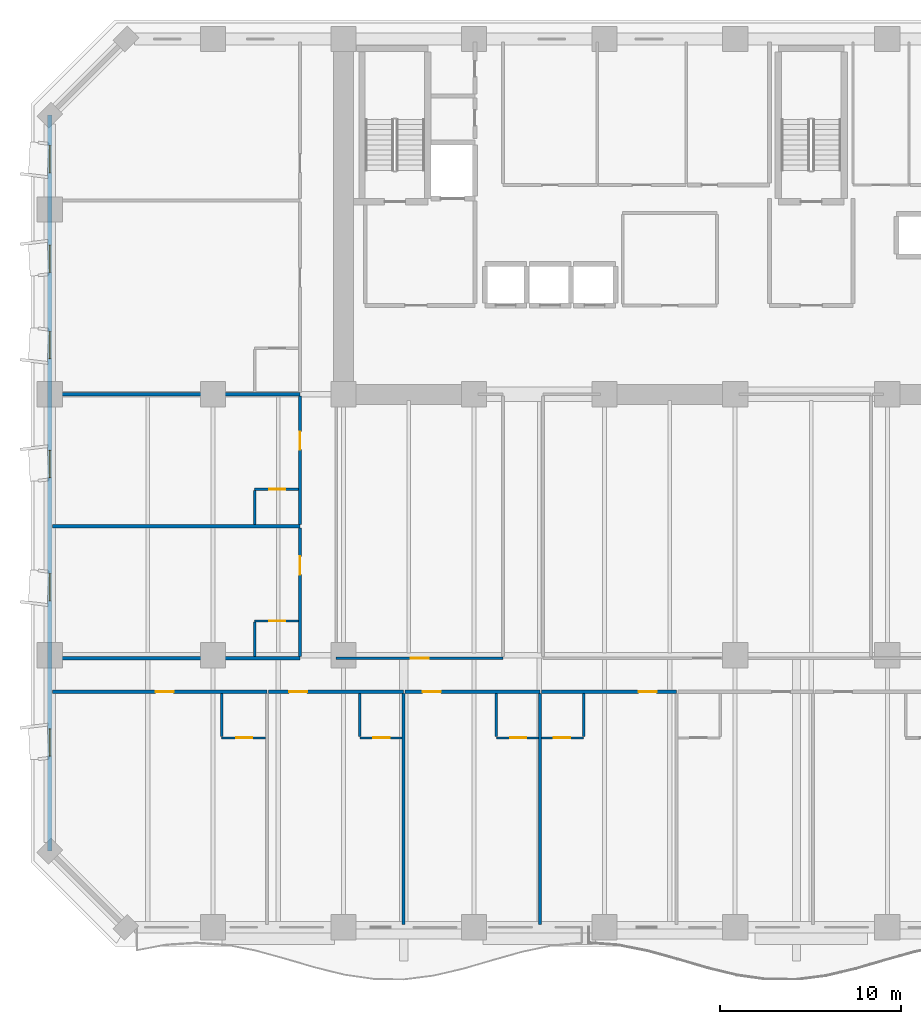
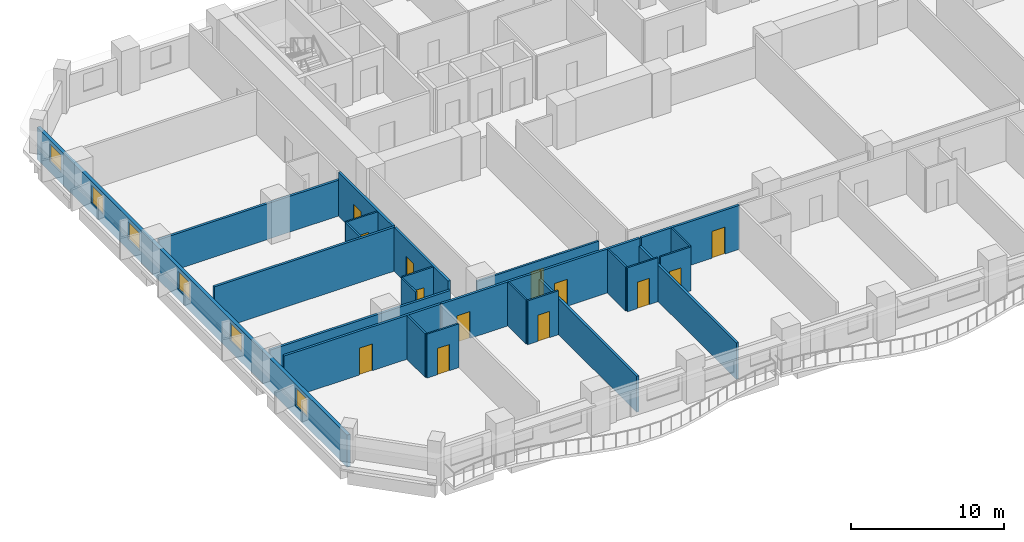
# One storey, part 4 of 15: 25 walls, 13 doors, 6 windows, 19 openings.
"""IFC4 building model written with IfcOpenShell, lengths in metres."""

from ifc_helpers import new_model, si_unit, direction, frame, frame_2d, origin, place, context, subcontext, project, spatial, rectangle, extrude, material, layer, layer_set, type_object, element, fill, save


model = new_model("IFC4")

# Units and contexts
model_context = context("Model", 3, precision=1e-05, world=origin(), true_north=direction((0.0, 1.0)))
body_context = subcontext(model_context, "Body", "Model", "MODEL_VIEW")
ifc_project = project(units=[si_unit("LENGTHUNIT", "METRE"), si_unit("AREAUNIT", "SQUARE_METRE"), si_unit("VOLUMEUNIT", "CUBIC_METRE"), si_unit("PLANEANGLEUNIT", "RADIAN"), si_unit("MASSUNIT", "GRAM", prefix="KILO")], contexts=[model_context])

# Site, building, storey
site_placement = place(None, origin())
site = spatial("IfcSite", under=ifc_project, at=site_placement, CompositionType="ELEMENT")
building_placement = place(site_placement, origin())
building = spatial("IfcBuilding", under=site, at=building_placement, Name="Kaelvorn Grand Hotel", CompositionType="ELEMENT")
storey_placement = place(building_placement, frame((0.0, 0.0, 65.14990234375)))
storey = spatial("IfcBuildingStorey", under=building, at=storey_placement, Name="L14", CompositionType="ELEMENT", Elevation=65.14990234375)

# Wall, openings, windows
ifc_material_1 = material(Name="Concrete C40/50", Category="concrete")
ifc_layer_1 = layer(ifc_material_1, 0.260009765625)
ifc_layer_set_1 = layer_set([ifc_layer_1], Name="Concrete C40/50")
wall_type_1 = type_object("IfcWallType", Name="WL-EXT-260-C40", PredefinedType="SOLIDWALL", material=ifc_layer_set_1)
wall_1_placement = place(storey_placement, frame((0.0, 44.800048828125, 0.0), z_axis=(0.0, 0.0, 1.0), x_axis=(0.0, -1.0, 0.0)))
wall_1 = element("IfcWall", 1, at=wall_1_placement, inside=storey, type_object=wall_type_1, Name="L14 Exterior Architectural Concrete Wall 07", PredefinedType="SOLIDWALL", context=body_context, shape_type="SweptSolid", body=[
    extrude(rectangle(XDim=40.60009765625, YDim=0.260009765625, at=frame_2d((20.300048828125, 0.0))), origin(), (0.0, 0.0, 1.0), 2.56005859375),
])
opening_1_placement = place(wall_1_placement, frame((33.85009765625, 0.0, 0.85009765625)))
opening_1 = element("IfcOpeningElement", 2, at=opening_1_placement, cuts=wall_1, Name="Opening W10", PredefinedType="OPENING", context=body_context, shape_type="SweptSolid", body=[
    extrude(rectangle(XDim=1.5, YDim=1.39990234375, at=frame_2d((0.75, 0.699951171875))), frame((0.0, 0.14013671875, 0.0), z_axis=(0.0, -1.0, 0.0), x_axis=(1.0, 0.0, 0.0)), (0.0, 0.0, 1.0), 0.280029296875),
])
opening_2_placement = place(wall_1_placement, frame((25.2900390625, 0.0, 0.85009765625)))
opening_2 = element("IfcOpeningElement", 3, at=opening_2_placement, cuts=wall_1, Name="Opening W10", PredefinedType="OPENING", context=body_context, shape_type="SweptSolid", body=[
    extrude(rectangle(XDim=1.5, YDim=1.39990234375, at=frame_2d((0.75, 0.699951171875))), frame((0.0, 0.14013671875, 0.0), z_axis=(0.0, -1.0, 0.0), x_axis=(1.0, 0.0, 0.0)), (0.0, 0.0, 1.0), 0.280029296875),
])
opening_3_placement = place(wall_1_placement, frame((18.489990234375, 0.0, 0.85009765625)))
opening_3 = element("IfcOpeningElement", 4, at=opening_3_placement, cuts=wall_1, Name="Opening W10", PredefinedType="OPENING", context=body_context, shape_type="SweptSolid", body=[
    extrude(rectangle(XDim=1.5, YDim=1.39990234375, at=frame_2d((0.75, 0.699951171875))), frame((0.0, 0.14013671875, 0.0), z_axis=(0.0, -1.0, 0.0), x_axis=(1.0, 0.0, 0.0)), (0.0, 0.0, 1.0), 0.280029296875),
])
opening_4_placement = place(wall_1_placement, frame((11.93505859375, 0.0, 0.85009765625)))
opening_4 = element("IfcOpeningElement", 5, at=opening_4_placement, cuts=wall_1, Name="Opening W10", PredefinedType="OPENING", context=body_context, shape_type="SweptSolid", body=[
    extrude(rectangle(XDim=1.5, YDim=1.39990234375, at=frame_2d((0.75, 0.699951171875))), frame((0.0, 0.14013671875, 0.0), z_axis=(0.0, -1.0, 0.0), x_axis=(1.0, 0.0, 0.0)), (0.0, 0.0, 1.0), 0.280029296875),
])
opening_5_placement = place(wall_1_placement, frame((7.1650390625, 0.0, 0.85009765625)))
opening_5 = element("IfcOpeningElement", 6, at=opening_5_placement, cuts=wall_1, Name="Opening W10", PredefinedType="OPENING", context=body_context, shape_type="SweptSolid", body=[
    extrude(rectangle(XDim=1.5, YDim=1.39990234375, at=frame_2d((0.75, 0.699951171875))), frame((0.0, 0.14013671875, 0.0), z_axis=(0.0, -1.0, 0.0), x_axis=(1.0, 0.0, 0.0)), (0.0, 0.0, 1.0), 0.280029296875),
])
opening_6_placement = place(wall_1_placement, frame((1.68505859375, 0.0, 0.85009765625)))
opening_6 = element("IfcOpeningElement", 7, at=opening_6_placement, cuts=wall_1, Name="Opening W10", PredefinedType="OPENING", context=body_context, shape_type="SweptSolid", body=[
    extrude(rectangle(XDim=1.5, YDim=1.39990234375, at=frame_2d((0.75, 0.699951171875))), frame((0.0, 0.14013671875, 0.0), z_axis=(0.0, -1.0, 0.0), x_axis=(1.0, 0.0, 0.0)), (0.0, 0.0, 1.0), 0.280029296875),
])
ifc_material_2 = material(Name="Laminated Low-E Glass", Category="glass")
window_type = type_object("IfcWindowType", Name="WIN-COR-1500x1400", PartitioningType="SINGLE_PANEL", PredefinedType="WINDOW", material=ifc_material_2)
window_1_placement = place(opening_1_placement, origin())
window_1 = element("IfcWindow", 8, at=window_1_placement, inside=storey, type_object=window_type, Name="L14 W Wing Tilted-Frame Ribbon Window W01", OverallHeight=1.39990234375, OverallWidth=1.5, PartitioningType="SINGLE_PANEL", PredefinedType="WINDOW", context=body_context, shape_type="SweptSolid", body=[
    extrude(rectangle(XDim=1.5, YDim=1.39990234375, at=frame_2d((0.75, 0.699951171875))), frame((0.0, 0.030029296875, 0.0), z_axis=(0.0, -1.0, 0.0), x_axis=(1.0, 0.0, 0.0)), (0.0, 0.0, 1.0), 0.06005859375),
])
fill(opening_1, window_1)
window_2_placement = place(opening_2_placement, origin())
window_2 = element("IfcWindow", 9, at=window_2_placement, inside=storey, type_object=window_type, Name="L14 W Wing Tilted-Frame Ribbon Window W02", OverallHeight=1.39990234375, OverallWidth=1.5, PartitioningType="SINGLE_PANEL", PredefinedType="WINDOW", context=body_context, shape_type="SweptSolid", body=[
    extrude(rectangle(XDim=1.5, YDim=1.39990234375, at=frame_2d((0.75, 0.699951171875))), frame((0.0, 0.030029296875, 0.0), z_axis=(0.0, -1.0, 0.0), x_axis=(1.0, 0.0, 0.0)), (0.0, 0.0, 1.0), 0.06005859375),
])
fill(opening_2, window_2)
window_3_placement = place(opening_3_placement, origin())
window_3 = element("IfcWindow", 10, at=window_3_placement, inside=storey, type_object=window_type, Name="L14 W Wing Tilted-Frame Ribbon Window W03", OverallHeight=1.39990234375, OverallWidth=1.5, PartitioningType="SINGLE_PANEL", PredefinedType="WINDOW", context=body_context, shape_type="SweptSolid", body=[
    extrude(rectangle(XDim=1.5, YDim=1.39990234375, at=frame_2d((0.75, 0.699951171875))), frame((0.0, 0.030029296875, 0.0), z_axis=(0.0, -1.0, 0.0), x_axis=(1.0, 0.0, 0.0)), (0.0, 0.0, 1.0), 0.06005859375),
])
fill(opening_3, window_3)
window_4_placement = place(opening_4_placement, origin())
window_4 = element("IfcWindow", 11, at=window_4_placement, inside=storey, type_object=window_type, Name="L14 W Wing Tilted-Frame Ribbon Window W04", OverallHeight=1.39990234375, OverallWidth=1.5, PartitioningType="SINGLE_PANEL", PredefinedType="WINDOW", context=body_context, shape_type="SweptSolid", body=[
    extrude(rectangle(XDim=1.5, YDim=1.39990234375, at=frame_2d((0.75, 0.699951171875))), frame((0.0, 0.030029296875, 0.0), z_axis=(0.0, -1.0, 0.0), x_axis=(1.0, 0.0, 0.0)), (0.0, 0.0, 1.0), 0.06005859375),
])
fill(opening_4, window_4)
window_5_placement = place(opening_5_placement, origin())
window_5 = element("IfcWindow", 12, at=window_5_placement, inside=storey, type_object=window_type, Name="L14 W Wing Tilted-Frame Ribbon Window W05", OverallHeight=1.39990234375, OverallWidth=1.5, PartitioningType="SINGLE_PANEL", PredefinedType="WINDOW", context=body_context, shape_type="SweptSolid", body=[
    extrude(rectangle(XDim=1.5, YDim=1.39990234375, at=frame_2d((0.75, 0.699951171875))), frame((0.0, 0.030029296875, 0.0), z_axis=(0.0, -1.0, 0.0), x_axis=(1.0, 0.0, 0.0)), (0.0, 0.0, 1.0), 0.06005859375),
])
fill(opening_5, window_5)
window_6_placement = place(opening_6_placement, origin())
window_6 = element("IfcWindow", 13, at=window_6_placement, inside=storey, type_object=window_type, Name="L14 W Wing Tilted-Frame Ribbon Window W06", OverallHeight=1.39990234375, OverallWidth=1.5, PartitioningType="SINGLE_PANEL", PredefinedType="WINDOW", context=body_context, shape_type="SweptSolid", body=[
    extrude(rectangle(XDim=1.5, YDim=1.39990234375, at=frame_2d((0.75, 0.699951171875))), frame((0.0, 0.030029296875, 0.0), z_axis=(0.0, -1.0, 0.0), x_axis=(1.0, 0.0, 0.0)), (0.0, 0.0, 1.0), 0.06005859375),
])
fill(opening_6, window_6)

# Wall, opening, door
ifc_material_3 = material(Name="Moisture-Resistant Tile & Stud Board")
ifc_layer_2 = layer(ifc_material_3, 0.125)
ifc_layer_set_2 = layer_set([ifc_layer_2], Name="Moisture-Resistant Tile & Stud Board")
wall_type_2 = type_object("IfcWallType", Name="WL-PART-125-WET", PredefinedType="PARTITIONING", material=ifc_layer_set_2)
wall_2_placement = place(storey_placement, frame((9.47998046875, 10.449951171875, 0.0), z_axis=(0.0, 0.0, 1.0), x_axis=(1.0, 0.0, 0.0)))
wall_2 = element("IfcWall", 14, at=wall_2_placement, inside=storey, type_object=wall_type_2, Name="L14 En-suite Bathroom L14-01 S Partition", PredefinedType="PARTITIONING", context=body_context, shape_type="SweptSolid", body=[
    extrude(rectangle(XDim=2.405029296875, YDim=0.125, at=frame_2d((1.20263671875, 0.0))), origin(), (0.0, 0.0, 1.0), 3.510009765625),
])
opening_7_placement = place(wall_2_placement, frame((0.800048828125, 0.0, 0.0)))
opening_7 = element("IfcOpeningElement", 15, at=opening_7_placement, cuts=wall_2, Name="Opening DI4", PredefinedType="OPENING", context=body_context, shape_type="SweptSolid", body=[
    extrude(rectangle(XDim=0.89990234375, YDim=2.10009765625, at=frame_2d((0.449951171875, 1.050048828125))), frame((0.0, 0.072509765625, 0.0), z_axis=(0.0, -1.0, 0.0), x_axis=(1.0, 0.0, 0.0)), (0.0, 0.0, 1.0), 0.14501953125),
])
ifc_material_4 = material(Name="Timber Veneer Leaf", Category="wood")
door_type_1 = type_object("IfcDoorType", Name="DR-INT-BATH-900x2100", OperationType="NOTDEFINED", PredefinedType="DOOR", material=ifc_material_4)
door_1_placement = place(opening_7_placement, origin())
door_1 = element("IfcDoor", 16, at=door_1_placement, inside=storey, type_object=door_type_1, Name="L14 En-suite Bathroom L14-01 Door", OperationType="SINGLE_SWING_RIGHT", OverallHeight=2.10009765625, OverallWidth=0.89990234375, PredefinedType="DOOR", context=body_context, shape_type="SweptSolid", body=[
    extrude(rectangle(XDim=0.89990234375, YDim=2.10009765625, at=frame_2d((0.449951171875, 1.050048828125))), frame((0.0, 0.02490234375, 0.0), z_axis=(0.0, -1.0, 0.0), x_axis=(1.0, 0.0, 0.0)), (0.0, 0.0, 1.0), 0.050048828125),
])
fill(opening_7, door_1)

# Wall
wall_3_placement = place(storey_placement, frame((9.47998046875, 10.517578125, 0.0), z_axis=(0.0, 0.0, 1.0), x_axis=(0.0, 1.0, 0.0)))
element("IfcWall", 17, at=wall_3_placement, inside=storey, type_object=wall_type_2, Name="L14 En-suite Bathroom L14-01 W Partition", PredefinedType="PARTITIONING", context=body_context, shape_type="SweptSolid", body=[
    extrude(rectangle(XDim=2.387451171875, YDim=0.125, at=frame_2d((1.19384765625, 0.0))), origin(), (0.0, 0.0, 1.0), 3.510009765625),
])

# Wall, opening, door
wall_4_placement = place(storey_placement, frame((17.10009765625, 10.449951171875, 0.0), z_axis=(0.0, 0.0, 1.0), x_axis=(1.0, 0.0, 0.0)))
wall_4 = element("IfcWall", 18, at=wall_4_placement, inside=storey, type_object=wall_type_2, Name="L14 En-suite Bathroom L14-02 S Partition", PredefinedType="PARTITIONING", context=body_context, shape_type="SweptSolid", body=[
    extrude(rectangle(XDim=2.315185546875, YDim=0.125, at=frame_2d((1.15771484375, 0.0))), origin(), (0.0, 0.0, 1.0), 3.510009765625),
])
opening_8_placement = place(wall_4_placement, frame((0.7548828125, 0.0, 0.0)))
opening_8 = element("IfcOpeningElement", 19, at=opening_8_placement, cuts=wall_4, Name="Opening DI4", PredefinedType="OPENING", context=body_context, shape_type="SweptSolid", body=[
    extrude(rectangle(XDim=0.89990234375, YDim=2.10009765625, at=frame_2d((0.449951171875, 1.050048828125))), frame((0.0, 0.072509765625, 0.0), z_axis=(0.0, -1.0, 0.0), x_axis=(1.0, 0.0, 0.0)), (0.0, 0.0, 1.0), 0.14501953125),
])
door_2_placement = place(opening_8_placement, origin())
door_2 = element("IfcDoor", 20, at=door_2_placement, inside=storey, type_object=door_type_1, Name="L14 En-suite Bathroom L14-02 Door", OperationType="SINGLE_SWING_RIGHT", OverallHeight=2.10009765625, OverallWidth=0.89990234375, PredefinedType="DOOR", context=body_context, shape_type="SweptSolid", body=[
    extrude(rectangle(XDim=0.89990234375, YDim=2.10009765625, at=frame_2d((0.449951171875, 1.050048828125))), frame((0.0, 0.02490234375, 0.0), z_axis=(0.0, -1.0, 0.0), x_axis=(1.0, 0.0, 0.0)), (0.0, 0.0, 1.0), 0.050048828125),
])
fill(opening_8, door_2)

# Wall
wall_5_placement = place(storey_placement, frame((17.10009765625, 10.517578125, 0.0), z_axis=(0.0, 0.0, 1.0), x_axis=(0.0, 1.0, 0.0)))
element("IfcWall", 21, at=wall_5_placement, inside=storey, type_object=wall_type_2, Name="L14 En-suite Bathroom L14-02 W Partition", PredefinedType="PARTITIONING", context=body_context, shape_type="SweptSolid", body=[
    extrude(rectangle(XDim=2.387451171875, YDim=0.125, at=frame_2d((1.19384765625, 0.0))), origin(), (0.0, 0.0, 1.0), 3.510009765625),
])

# Wall, opening, door
wall_6_placement = place(storey_placement, frame((24.630126953125, 10.449951171875, 0.0), z_axis=(0.0, 0.0, 1.0), x_axis=(1.0, 0.0, 0.0)))
wall_6 = element("IfcWall", 22, at=wall_6_placement, inside=storey, type_object=wall_type_2, Name="L14 En-suite Bathroom L14-03 S Partition", PredefinedType="PARTITIONING", context=body_context, shape_type="SweptSolid", body=[
    extrude(rectangle(XDim=2.315185546875, YDim=0.125, at=frame_2d((1.15771484375, 0.0))), origin(), (0.0, 0.0, 1.0), 3.510009765625),
])
opening_9_placement = place(wall_6_placement, frame((0.7548828125, 0.0, 0.0)))
opening_9 = element("IfcOpeningElement", 23, at=opening_9_placement, cuts=wall_6, Name="Opening DI4", PredefinedType="OPENING", context=body_context, shape_type="SweptSolid", body=[
    extrude(rectangle(XDim=0.89990234375, YDim=2.10009765625, at=frame_2d((0.449951171875, 1.050048828125))), frame((0.0, 0.072509765625, 0.0), z_axis=(0.0, -1.0, 0.0), x_axis=(1.0, 0.0, 0.0)), (0.0, 0.0, 1.0), 0.14501953125),
])
door_3_placement = place(opening_9_placement, origin())
door_3 = element("IfcDoor", 24, at=door_3_placement, inside=storey, type_object=door_type_1, Name="L14 En-suite Bathroom L14-03 Door", OperationType="SINGLE_SWING_RIGHT", OverallHeight=2.10009765625, OverallWidth=0.89990234375, PredefinedType="DOOR", context=body_context, shape_type="SweptSolid", body=[
    extrude(rectangle(XDim=0.89990234375, YDim=2.10009765625, at=frame_2d((0.449951171875, 1.050048828125))), frame((0.0, 0.02490234375, 0.0), z_axis=(0.0, -1.0, 0.0), x_axis=(1.0, 0.0, 0.0)), (0.0, 0.0, 1.0), 0.050048828125),
])
fill(opening_9, door_3)

# Wall
wall_7_placement = place(storey_placement, frame((24.630126953125, 10.517578125, 0.0), z_axis=(0.0, 0.0, 1.0), x_axis=(0.0, 1.0, 0.0)))
element("IfcWall", 25, at=wall_7_placement, inside=storey, type_object=wall_type_2, Name="L14 En-suite Bathroom L14-03 W Partition", PredefinedType="PARTITIONING", context=body_context, shape_type="SweptSolid", body=[
    extrude(rectangle(XDim=2.387451171875, YDim=0.125, at=frame_2d((1.19384765625, 0.0))), origin(), (0.0, 0.0, 1.0), 3.510009765625),
])

# Wall, opening, door
wall_8_placement = place(storey_placement, frame((27.13525390625, 10.449951171875, 0.0), z_axis=(0.0, 0.0, 1.0), x_axis=(1.0, 0.0, 0.0)))
wall_8 = element("IfcWall", 26, at=wall_8_placement, inside=storey, type_object=wall_type_2, Name="L14 En-suite Bathroom L14-04 S Partition", PredefinedType="PARTITIONING", context=body_context, shape_type="SweptSolid", body=[
    extrude(rectangle(XDim=2.31494140625, YDim=0.125, at=frame_2d((1.157470703125, 0.0))), origin(), (0.0, 0.0, 1.0), 3.510009765625),
])
opening_10_placement = place(wall_8_placement, frame((0.659912109375, 0.0, 0.0)))
opening_10 = element("IfcOpeningElement", 27, at=opening_10_placement, cuts=wall_8, Name="Opening DI4", PredefinedType="OPENING", context=body_context, shape_type="SweptSolid", body=[
    extrude(rectangle(XDim=0.89990234375, YDim=2.10009765625, at=frame_2d((0.449951171875, 1.050048828125))), frame((0.0, 0.072509765625, 0.0), z_axis=(0.0, -1.0, 0.0), x_axis=(1.0, 0.0, 0.0)), (0.0, 0.0, 1.0), 0.14501953125),
])
door_4_placement = place(opening_10_placement, origin())
door_4 = element("IfcDoor", 28, at=door_4_placement, inside=storey, type_object=door_type_1, Name="L14 En-suite Bathroom L14-04 Door", OperationType="SINGLE_SWING_RIGHT", OverallHeight=2.10009765625, OverallWidth=0.89990234375, PredefinedType="DOOR", context=body_context, shape_type="SweptSolid", body=[
    extrude(rectangle(XDim=0.89990234375, YDim=2.10009765625, at=frame_2d((0.449951171875, 1.050048828125))), frame((0.0, 0.02490234375, 0.0), z_axis=(0.0, -1.0, 0.0), x_axis=(1.0, 0.0, 0.0)), (0.0, 0.0, 1.0), 0.050048828125),
])
fill(opening_10, door_4)

# Wall
wall_9_placement = place(storey_placement, frame((29.4501953125, 10.517578125, 0.0), z_axis=(0.0, 0.0, 1.0), x_axis=(0.0, 1.0, 0.0)))
element("IfcWall", 29, at=wall_9_placement, inside=storey, type_object=wall_type_2, Name="L14 En-suite Bathroom L14-04 E Partition", PredefinedType="PARTITIONING", context=body_context, shape_type="SweptSolid", body=[
    extrude(rectangle(XDim=2.387451171875, YDim=0.125, at=frame_2d((1.19384765625, 0.0))), origin(), (0.0, 0.0, 1.0), 3.510009765625),
])

# Wall, opening, door
wall_10_placement = place(storey_placement, frame((11.300048828125, 16.89990234375, 0.0), z_axis=(0.0, 0.0, 1.0), x_axis=(1.0, 0.0, 0.0)))
wall_10 = element("IfcWall", 30, at=wall_10_placement, inside=storey, type_object=wall_type_2, Name="L14 En-suite Bathroom L14-11 N Partition", PredefinedType="PARTITIONING", context=body_context, shape_type="SweptSolid", body=[
    extrude(rectangle(XDim=2.405029296875, YDim=0.125, at=frame_2d((1.20263671875, 0.0))), origin(), (0.0, 0.0, 1.0), 3.510009765625),
])
opening_11_placement = place(wall_10_placement, frame((0.800048828125, 0.0, 0.0)))
opening_11 = element("IfcOpeningElement", 31, at=opening_11_placement, cuts=wall_10, Name="Opening DI4", PredefinedType="OPENING", context=body_context, shape_type="SweptSolid", body=[
    extrude(rectangle(XDim=0.89990234375, YDim=2.10009765625, at=frame_2d((0.449951171875, 1.050048828125))), frame((0.0, 0.072509765625, 0.0), z_axis=(0.0, -1.0, 0.0), x_axis=(1.0, 0.0, 0.0)), (0.0, 0.0, 1.0), 0.14501953125),
])
door_5_placement = place(opening_11_placement, origin())
door_5 = element("IfcDoor", 32, at=door_5_placement, inside=storey, type_object=door_type_1, Name="L14 En-suite Bathroom L14-11 Door", OperationType="SINGLE_SWING_LEFT", OverallHeight=2.10009765625, OverallWidth=0.89990234375, PredefinedType="DOOR", context=body_context, shape_type="SweptSolid", body=[
    extrude(rectangle(XDim=0.89990234375, YDim=2.10009765625, at=frame_2d((0.449951171875, 1.050048828125))), frame((0.0, 0.02490234375, 0.0), z_axis=(0.0, -1.0, 0.0), x_axis=(1.0, 0.0, 0.0)), (0.0, 0.0, 1.0), 0.050048828125),
])
fill(opening_11, door_5)

# Wall
wall_11_placement = place(storey_placement, frame((11.300048828125, 14.945068359375, 0.0), z_axis=(0.0, 0.0, 1.0), x_axis=(0.0, 1.0, 0.0)))
element("IfcWall", 33, at=wall_11_placement, inside=storey, type_object=wall_type_2, Name="L14 En-suite Bathroom L14-11 W Partition", PredefinedType="PARTITIONING", context=body_context, shape_type="SweptSolid", body=[
    extrude(rectangle(XDim=1.887451171875, YDim=0.125, at=frame_2d((0.94384765625, 0.0))), origin(), (0.0, 0.0, 1.0), 3.510009765625),
])

# Wall, opening, door
wall_12_placement = place(storey_placement, frame((11.300048828125, 24.169921875, 0.0), z_axis=(0.0, 0.0, 1.0), x_axis=(1.0, 0.0, 0.0)))
wall_12 = element("IfcWall", 34, at=wall_12_placement, inside=storey, type_object=wall_type_2, Name="L14 En-suite Bathroom L14-12 N Partition", PredefinedType="PARTITIONING", context=body_context, shape_type="SweptSolid", body=[
    extrude(rectangle(XDim=2.405029296875, YDim=0.125, at=frame_2d((1.20263671875, 0.0))), origin(), (0.0, 0.0, 1.0), 3.510009765625),
])
opening_12_placement = place(wall_12_placement, frame((0.800048828125, 0.0, 0.0)))
opening_12 = element("IfcOpeningElement", 35, at=opening_12_placement, cuts=wall_12, Name="Opening DI4", PredefinedType="OPENING", context=body_context, shape_type="SweptSolid", body=[
    extrude(rectangle(XDim=0.89990234375, YDim=2.10009765625, at=frame_2d((0.449951171875, 1.050048828125))), frame((0.0, 0.072509765625, 0.0), z_axis=(0.0, -1.0, 0.0), x_axis=(1.0, 0.0, 0.0)), (0.0, 0.0, 1.0), 0.14501953125),
])
door_6_placement = place(opening_12_placement, origin())
door_6 = element("IfcDoor", 36, at=door_6_placement, inside=storey, type_object=door_type_1, Name="L14 En-suite Bathroom L14-12 Door", OperationType="SINGLE_SWING_LEFT", OverallHeight=2.10009765625, OverallWidth=0.89990234375, PredefinedType="DOOR", context=body_context, shape_type="SweptSolid", body=[
    extrude(rectangle(XDim=0.89990234375, YDim=2.10009765625, at=frame_2d((0.449951171875, 1.050048828125))), frame((0.0, 0.02490234375, 0.0), z_axis=(0.0, -1.0, 0.0), x_axis=(1.0, 0.0, 0.0)), (0.0, 0.0, 1.0), 0.050048828125),
])
fill(opening_12, door_6)

# Wall
wall_13_placement = place(storey_placement, frame((11.300048828125, 22.215087890625, 0.0), z_axis=(0.0, 0.0, 1.0), x_axis=(0.0, 1.0, 0.0)))
element("IfcWall", 37, at=wall_13_placement, inside=storey, type_object=wall_type_2, Name="L14 En-suite Bathroom L14-12 W Partition", PredefinedType="PARTITIONING", context=body_context, shape_type="SweptSolid", body=[
    extrude(rectangle(XDim=1.887451171875, YDim=0.125, at=frame_2d((0.94384765625, 0.0))), origin(), (0.0, 0.0, 1.0), 3.510009765625),
])

# Wall, opening, door
ifc_material_5 = material(Name="Acoustic Gypsum & Stud Partition")
ifc_layer_3 = layer(ifc_material_5, 0.14990234375)
ifc_layer_set_3 = layer_set([ifc_layer_3], Name="Acoustic Gypsum & Stud Partition")
wall_type_3 = type_object("IfcWallType", Name="WL-PART-150-EI60", PredefinedType="PARTITIONING", material=ifc_layer_set_3)
wall_14_placement = place(storey_placement, frame((15.800048828125, 14.85009765625, 0.0), z_axis=(0.0, 0.0, 1.0), x_axis=(1.0, 0.0, 0.0)))
wall_14 = element("IfcWall", 38, at=wall_14_placement, inside=storey, type_object=wall_type_3, Name="L14 Wellness Spa Salon S Partition", PredefinedType="PARTITIONING", context=body_context, shape_type="SweptSolid", body=[
    extrude(rectangle(XDim=9.199951171875, YDim=0.14990234375, at=frame_2d((4.60009765625, 0.0))), origin(), (0.0, 0.0, 1.0), 2.860107421875),
])
opening_13_placement = place(wall_14_placement, frame((4.10009765625, 0.0, 0.0)))
opening_13 = element("IfcOpeningElement", 39, at=opening_13_placement, cuts=wall_14, Name="Opening DI3", PredefinedType="OPENING", context=body_context, shape_type="SweptSolid", body=[
    extrude(rectangle(XDim=1.0, YDim=2.14990234375, at=frame_2d((0.5, 1.074951171875))), frame((0.0, 0.0849609375, 0.0), z_axis=(0.0, -1.0, 0.0), x_axis=(1.0, 0.0, 0.0)), (0.0, 0.0, 1.0), 0.169921875),
])
ifc_material_6 = material(Name="Timber Veneer Fire Leaf", Category="wood")
door_type_2 = type_object("IfcDoorType", Name="DR-INT-GUEST-1000x2150", OperationType="NOTDEFINED", PredefinedType="DOOR", material=ifc_material_6)
door_7_placement = place(opening_13_placement, origin())
door_7 = element("IfcDoor", 40, at=door_7_placement, inside=storey, type_object=door_type_2, Name="L14 Wellness Spa Salon Door", OperationType="SINGLE_SWING_LEFT", OverallHeight=2.14990234375, OverallWidth=1.0, PredefinedType="DOOR", context=body_context, shape_type="SweptSolid", body=[
    extrude(rectangle(XDim=1.0, YDim=2.14990234375, at=frame_2d((0.5, 1.074951171875))), frame((0.0, 0.02490234375, 0.0), z_axis=(0.0, -1.0, 0.0), x_axis=(1.0, 0.0, 0.0)), (0.0, 0.0, 1.0), 0.050048828125),
])
fill(opening_13, door_7)

ifc_layer_4 = layer(ifc_material_5, 0.179931640625)
ifc_layer_set_4 = layer_set([ifc_layer_4], Name="Acoustic Gypsum & Stud Partition")
wall_type_4 = type_object("IfcWallType", Name="WL-PART-180-EI60", PredefinedType="PARTITIONING", material=ifc_layer_set_4)
wall_15_placement = place(storey_placement, frame((0.14990234375, 13.0, 0.0), z_axis=(0.0, 0.0, 1.0), x_axis=(1.0, 0.0, 0.0)))
wall_15 = element("IfcWall", 41, at=wall_15_placement, inside=storey, type_object=wall_type_4, Name="L14 Deluxe Panoramic Suite L14-01 N Partition", PredefinedType="PARTITIONING", context=body_context, shape_type="SweptSolid", body=[
    extrude(rectangle(XDim=11.830078125, YDim=0.179931640625, at=frame_2d((5.9150390625, 0.0))), origin(), (0.0, 0.0, 1.0), 3.510009765625),
])
opening_14_placement = place(wall_15_placement, frame((5.68505859375, 0.0, 0.0)))
opening_14 = element("IfcOpeningElement", 42, at=opening_14_placement, cuts=wall_15, Name="Opening DI3", PredefinedType="OPENING", context=body_context, shape_type="SweptSolid", body=[
    extrude(rectangle(XDim=1.0, YDim=2.14990234375, at=frame_2d((0.5, 1.074951171875))), frame((0.0, 0.10009765625, 0.0), z_axis=(0.0, -1.0, 0.0), x_axis=(1.0, 0.0, 0.0)), (0.0, 0.0, 1.0), 0.199951171875),
])
door_8_placement = place(opening_14_placement, origin())
door_8 = element("IfcDoor", 43, at=door_8_placement, inside=storey, type_object=door_type_2, Name="L14 Deluxe Panoramic Suite L14-01 Door", OperationType="SINGLE_SWING_LEFT", OverallHeight=2.14990234375, OverallWidth=1.0, PredefinedType="DOOR", context=body_context, shape_type="SweptSolid", body=[
    extrude(rectangle(XDim=1.0, YDim=2.14990234375, at=frame_2d((0.5, 1.074951171875))), frame((0.0, 0.02490234375, 0.0), z_axis=(0.0, -1.0, 0.0), x_axis=(1.0, 0.0, 0.0)), (0.0, 0.0, 1.0), 0.050048828125),
])
fill(opening_14, door_8)

wall_16_placement = place(storey_placement, frame((12.0751953125, 13.0, 0.0), z_axis=(0.0, 0.0, 1.0), x_axis=(1.0, 0.0, 0.0)))
wall_16 = element("IfcWall", 44, at=wall_16_placement, inside=storey, type_object=wall_type_4, Name="L14 Deluxe Panoramic Suite L14-02 N Partition", PredefinedType="PARTITIONING", context=body_context, shape_type="SweptSolid", body=[
    extrude(rectangle(XDim=7.43505859375, YDim=0.179931640625, at=frame_2d((3.717529296875, 0.0))), origin(), (0.0, 0.0, 1.0), 3.510009765625),
])
opening_15_placement = place(wall_16_placement, frame((1.125, 0.0, 0.0)))
opening_15 = element("IfcOpeningElement", 45, at=opening_15_placement, cuts=wall_16, Name="Opening DI3", PredefinedType="OPENING", context=body_context, shape_type="SweptSolid", body=[
    extrude(rectangle(XDim=1.0, YDim=2.14990234375, at=frame_2d((0.5, 1.074951171875))), frame((0.0, 0.10009765625, 0.0), z_axis=(0.0, -1.0, 0.0), x_axis=(1.0, 0.0, 0.0)), (0.0, 0.0, 1.0), 0.199951171875),
])
door_9_placement = place(opening_15_placement, origin())
door_9 = element("IfcDoor", 46, at=door_9_placement, inside=storey, type_object=door_type_2, Name="L14 Deluxe Panoramic Suite L14-02 Door", OperationType="SINGLE_SWING_LEFT", OverallHeight=2.14990234375, OverallWidth=1.0, PredefinedType="DOOR", context=body_context, shape_type="SweptSolid", body=[
    extrude(rectangle(XDim=1.0, YDim=2.14990234375, at=frame_2d((0.5, 1.074951171875))), frame((0.0, 0.02490234375, 0.0), z_axis=(0.0, -1.0, 0.0), x_axis=(1.0, 0.0, 0.0)), (0.0, 0.0, 1.0), 0.050048828125),
])
fill(opening_15, door_9)

# Wall
wall_17_placement = place(storey_placement, frame((19.51025390625, 0.14990234375, 0.0), z_axis=(0.0, 0.0, 1.0), x_axis=(0.0, 1.0, 0.0)))
element("IfcWall", 47, at=wall_17_placement, inside=storey, type_object=wall_type_4, Name="L14 Deluxe Panoramic Suite L14-02 E Partition", PredefinedType="PARTITIONING", context=body_context, shape_type="SweptSolid", body=[
    extrude(rectangle(XDim=12.755126953125, YDim=0.179931640625, at=frame_2d((6.37744140625, 0.0))), origin(), (0.0, 0.0, 1.0), 2.880126953125),
])

# Wall, opening, door
wall_18_placement = place(storey_placement, frame((19.605224609375, 13.0, 0.0), z_axis=(0.0, 0.0, 1.0), x_axis=(1.0, 0.0, 0.0)))
wall_18 = element("IfcWall", 48, at=wall_18_placement, inside=storey, type_object=wall_type_4, Name="L14 Deluxe Panoramic Suite L14-03 N Partition", PredefinedType="PARTITIONING", context=body_context, shape_type="SweptSolid", body=[
    extrude(rectangle(XDim=7.43505859375, YDim=0.179931640625, at=frame_2d((3.717529296875, 0.0))), origin(), (0.0, 0.0, 1.0), 3.510009765625),
])
opening_16_placement = place(wall_18_placement, frame((0.9599609375, 0.0, 0.0)))
opening_16 = element("IfcOpeningElement", 49, at=opening_16_placement, cuts=wall_18, Name="Opening DI3", PredefinedType="OPENING", context=body_context, shape_type="SweptSolid", body=[
    extrude(rectangle(XDim=1.0, YDim=2.14990234375, at=frame_2d((0.5, 1.074951171875))), frame((0.0, 0.10009765625, 0.0), z_axis=(0.0, -1.0, 0.0), x_axis=(1.0, 0.0, 0.0)), (0.0, 0.0, 1.0), 0.199951171875),
])
door_10_placement = place(opening_16_placement, origin())
door_10 = element("IfcDoor", 50, at=door_10_placement, inside=storey, type_object=door_type_2, Name="L14 Deluxe Panoramic Suite L14-03 Door", OperationType="SINGLE_SWING_LEFT", OverallHeight=2.14990234375, OverallWidth=1.0, PredefinedType="DOOR", context=body_context, shape_type="SweptSolid", body=[
    extrude(rectangle(XDim=1.0, YDim=2.14990234375, at=frame_2d((0.5, 1.074951171875))), frame((0.0, 0.02490234375, 0.0), z_axis=(0.0, -1.0, 0.0), x_axis=(1.0, 0.0, 0.0)), (0.0, 0.0, 1.0), 0.050048828125),
])
fill(opening_16, door_10)

# Wall
wall_19_placement = place(storey_placement, frame((27.040283203125, 0.14990234375, 0.0), z_axis=(0.0, 0.0, 1.0), x_axis=(0.0, 1.0, 0.0)))
element("IfcWall", 51, at=wall_19_placement, inside=storey, type_object=wall_type_4, Name="L14 Deluxe Panoramic Suite L14-03 E Partition", PredefinedType="PARTITIONING", context=body_context, shape_type="SweptSolid", body=[
    extrude(rectangle(XDim=12.755126953125, YDim=0.179931640625, at=frame_2d((6.37744140625, 0.0))), origin(), (0.0, 0.0, 1.0), 2.89794921875),
])

# Wall, opening, door
wall_20_placement = place(storey_placement, frame((27.13525390625, 13.0, 0.0), z_axis=(0.0, 0.0, 1.0), x_axis=(1.0, 0.0, 0.0)))
wall_20 = element("IfcWall", 52, at=wall_20_placement, inside=storey, type_object=wall_type_4, Name="L14 Deluxe Panoramic Suite L14-04 N Partition", PredefinedType="PARTITIONING", context=body_context, shape_type="SweptSolid", body=[
    extrude(rectangle(XDim=7.43505859375, YDim=0.179931640625, at=frame_2d((3.717529296875, 0.0))), origin(), (0.0, 0.0, 1.0), 3.510009765625),
])
opening_17_placement = place(wall_20_placement, frame((5.33984375, 0.0, 0.0)))
opening_17 = element("IfcOpeningElement", 53, at=opening_17_placement, cuts=wall_20, Name="Opening DI3", PredefinedType="OPENING", context=body_context, shape_type="SweptSolid", body=[
    extrude(rectangle(XDim=1.0, YDim=2.14990234375, at=frame_2d((0.5, 1.074951171875))), frame((0.0, 0.10009765625, 0.0), z_axis=(0.0, -1.0, 0.0), x_axis=(1.0, 0.0, 0.0)), (0.0, 0.0, 1.0), 0.199951171875),
])
door_11_placement = place(opening_17_placement, origin())
door_11 = element("IfcDoor", 54, at=door_11_placement, inside=storey, type_object=door_type_2, Name="L14 Deluxe Panoramic Suite L14-04 Door", OperationType="SINGLE_SWING_LEFT", OverallHeight=2.14990234375, OverallWidth=1.0, PredefinedType="DOOR", context=body_context, shape_type="SweptSolid", body=[
    extrude(rectangle(XDim=1.0, YDim=2.14990234375, at=frame_2d((0.5, 1.074951171875))), frame((0.0, 0.02490234375, 0.0), z_axis=(0.0, -1.0, 0.0), x_axis=(1.0, 0.0, 0.0)), (0.0, 0.0, 1.0), 0.050048828125),
])
fill(opening_17, door_11)

# Walls
wall_21_placement = place(storey_placement, frame((0.14990234375, 14.85009765625, 0.0), z_axis=(0.0, 0.0, 1.0), x_axis=(1.0, 0.0, 0.0)))
element("IfcWall", 55, at=wall_21_placement, inside=storey, type_object=wall_type_4, Name="L14 West Wing Panoramic Suite L14-11 S Partition", PredefinedType="PARTITIONING", context=body_context, shape_type="SweptSolid", body=[
    extrude(rectangle(XDim=13.650146484375, YDim=0.179931640625, at=frame_2d((6.8251953125, 0.0))), origin(), (0.0, 0.0, 1.0), 2.860107421875),
])
wall_22_placement = place(storey_placement, frame((0.14990234375, 22.1201171875, 0.0), z_axis=(0.0, 0.0, 1.0), x_axis=(1.0, 0.0, 0.0)))
element("IfcWall", 56, at=wall_22_placement, inside=storey, type_object=wall_type_4, Name="L14 West Wing Panoramic Suite L14-11 N Partition", PredefinedType="PARTITIONING", context=body_context, shape_type="SweptSolid", body=[
    extrude(rectangle(XDim=13.650146484375, YDim=0.179931640625, at=frame_2d((6.8251953125, 0.0))), origin(), (0.0, 0.0, 1.0), 3.510009765625),
])

# Wall, opening, door
wall_23_placement = place(storey_placement, frame((13.800048828125, 14.945068359375, 0.0), z_axis=(0.0, 0.0, 1.0), x_axis=(0.0, 1.0, 0.0)))
wall_23 = element("IfcWall", 57, at=wall_23_placement, inside=storey, type_object=wall_type_4, Name="L14 West Wing Panoramic Suite L14-11 E Partition", PredefinedType="PARTITIONING", context=body_context, shape_type="SweptSolid", body=[
    extrude(rectangle(XDim=7.079833984375, YDim=0.179931640625, at=frame_2d((3.5400390625, 0.0))), origin(), (0.0, 0.0, 1.0), 3.510009765625),
])
opening_18_placement = place(wall_23_placement, frame((4.514892578125, 0.0, 0.0)))
opening_18 = element("IfcOpeningElement", 58, at=opening_18_placement, cuts=wall_23, Name="Opening DI3", PredefinedType="OPENING", context=body_context, shape_type="SweptSolid", body=[
    extrude(rectangle(XDim=1.0, YDim=2.14990234375, at=frame_2d((0.5, 1.074951171875))), frame((0.0, 0.10009765625, 0.0), z_axis=(0.0, -1.0, 0.0), x_axis=(1.0, 0.0, 0.0)), (0.0, 0.0, 1.0), 0.199951171875),
])
door_12_placement = place(opening_18_placement, origin())
door_12 = element("IfcDoor", 59, at=door_12_placement, inside=storey, type_object=door_type_2, Name="L14 West Wing Panoramic Suite L14-11 Door", OperationType="SINGLE_SWING_RIGHT", OverallHeight=2.14990234375, OverallWidth=1.0, PredefinedType="DOOR", context=body_context, shape_type="SweptSolid", body=[
    extrude(rectangle(XDim=1.0, YDim=2.14990234375, at=frame_2d((0.5, 1.074951171875))), frame((0.0, 0.02490234375, 0.0), z_axis=(0.0, -1.0, 0.0), x_axis=(1.0, 0.0, 0.0)), (0.0, 0.0, 1.0), 0.050048828125),
])
fill(opening_18, door_12)

# Wall
wall_24_placement = place(storey_placement, frame((0.14990234375, 29.39990234375, 0.0), z_axis=(0.0, 0.0, 1.0), x_axis=(1.0, 0.0, 0.0)))
element("IfcWall", 60, at=wall_24_placement, inside=storey, type_object=wall_type_4, Name="L14 West Mid-Wing Suite L14-12 N Partition", PredefinedType="PARTITIONING", context=body_context, shape_type="SweptSolid", body=[
    extrude(rectangle(XDim=13.650146484375, YDim=0.179931640625, at=frame_2d((6.8251953125, 0.0))), origin(), (0.0, 0.0, 1.0), 2.860107421875),
])

# Wall, opening, door
wall_25_placement = place(storey_placement, frame((13.800048828125, 22.215087890625, 0.0), z_axis=(0.0, 0.0, 1.0), x_axis=(0.0, 1.0, 0.0)))
wall_25 = element("IfcWall", 61, at=wall_25_placement, inside=storey, type_object=wall_type_4, Name="L14 West Mid-Wing Suite L14-12 E Partition", PredefinedType="PARTITIONING", context=body_context, shape_type="SweptSolid", body=[
    extrude(rectangle(XDim=7.08984375, YDim=0.179931640625, at=frame_2d((3.544921875, 0.0))), origin(), (0.0, 0.0, 1.0), 3.510009765625),
])
opening_19_placement = place(wall_25_placement, frame((4.1298828125, 0.0, 0.0)))
opening_19 = element("IfcOpeningElement", 62, at=opening_19_placement, cuts=wall_25, Name="Opening DI3", PredefinedType="OPENING", context=body_context, shape_type="SweptSolid", body=[
    extrude(rectangle(XDim=1.0, YDim=2.14990234375, at=frame_2d((0.5, 1.074951171875))), frame((0.0, 0.10009765625, 0.0), z_axis=(0.0, -1.0, 0.0), x_axis=(1.0, 0.0, 0.0)), (0.0, 0.0, 1.0), 0.199951171875),
])
door_13_placement = place(opening_19_placement, origin())
door_13 = element("IfcDoor", 63, at=door_13_placement, inside=storey, type_object=door_type_2, Name="L14 West Mid-Wing Suite L14-12 Door", OperationType="SINGLE_SWING_RIGHT", OverallHeight=2.14990234375, OverallWidth=1.0, PredefinedType="DOOR", context=body_context, shape_type="SweptSolid", body=[
    extrude(rectangle(XDim=1.0, YDim=2.14990234375, at=frame_2d((0.5, 1.074951171875))), frame((0.0, 0.02490234375, 0.0), z_axis=(0.0, -1.0, 0.0), x_axis=(1.0, 0.0, 0.0)), (0.0, 0.0, 1.0), 0.050048828125),
])
fill(opening_19, door_13)

save(model, "model.ifc")
